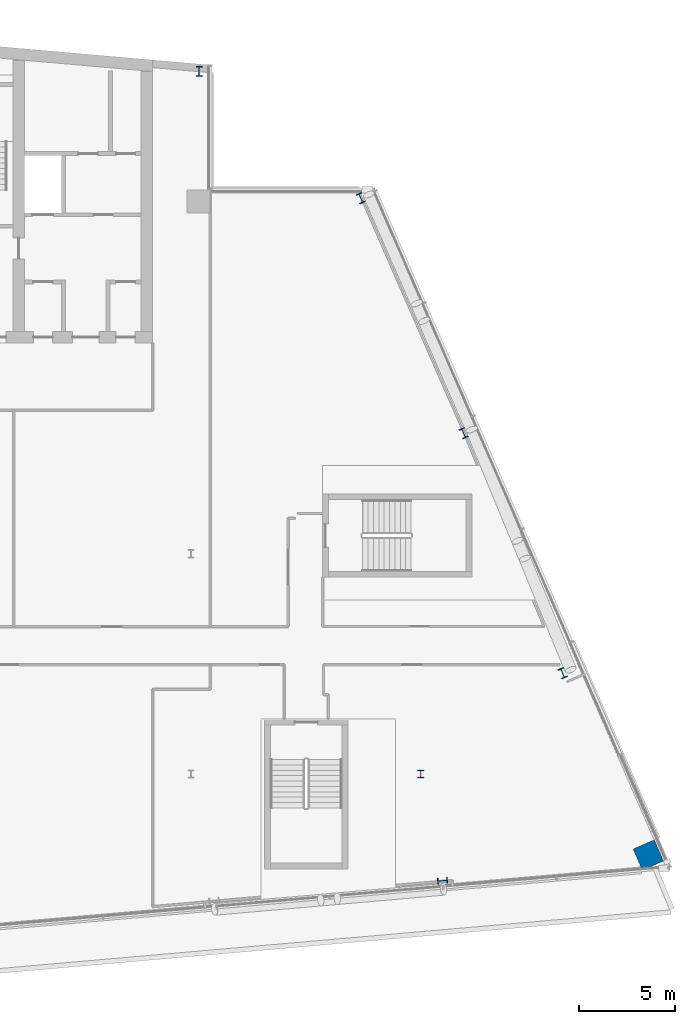
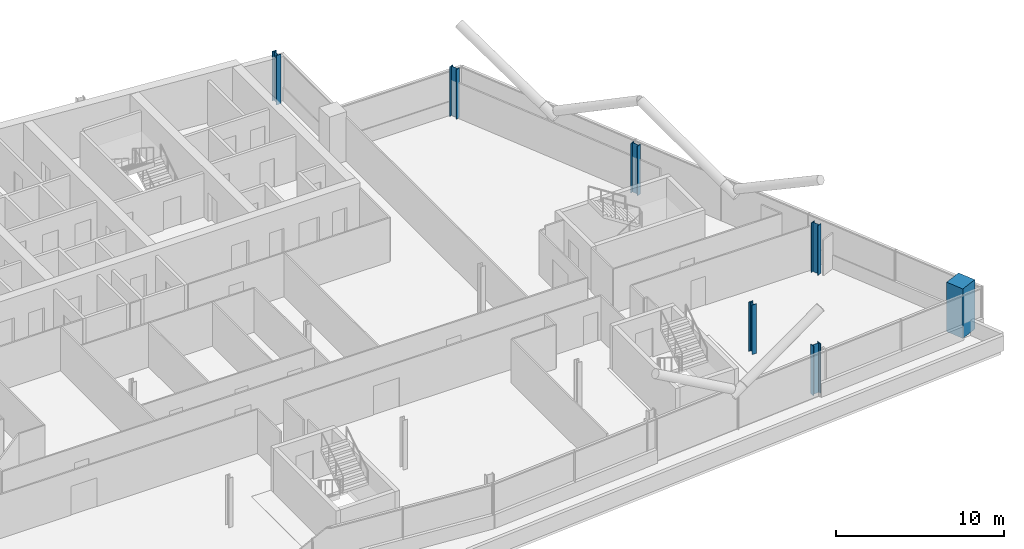
# One storey, part 4 of 27: 7 columns.
"""IFC4 building model written with IfcOpenShell, lengths in metres."""

from ifc_helpers import new_model, si_unit, direction, frame, origin, origin_2d, place, context, subcontext, project, spatial, rectangle, i_section, extrude, material, material_profile, profile_set, type_object, element, save


model = new_model("IFC4")

# Units and contexts
model_context = context("Model", 3, precision=1e-05, world=origin(), true_north=direction((0.0, 1.0)))
body_context = subcontext(model_context, "Body", "Model", "MODEL_VIEW")
ifc_project = project(units=[si_unit("LENGTHUNIT", "METRE"), si_unit("AREAUNIT", "SQUARE_METRE"), si_unit("VOLUMEUNIT", "CUBIC_METRE"), si_unit("PLANEANGLEUNIT", "RADIAN"), si_unit("MASSUNIT", "GRAM", prefix="KILO")], contexts=[model_context])

# Site, building, storey
site_placement = place(None, origin())
site = spatial("IfcSite", under=ifc_project, at=site_placement, CompositionType="ELEMENT")
building_placement = place(site_placement, origin())
building = spatial("IfcBuilding", under=site, at=building_placement, Name="Wharfspan Tower", CompositionType="ELEMENT")
storey_placement = place(building_placement, frame((0.0, 0.0, 207.100098)))
storey = spatial("IfcBuildingStorey", under=building, at=storey_placement, Name="L51", CompositionType="ELEMENT", Elevation=207.100098)

# Columns
ifc_material_1 = material(Name="Steel S355J2", Category="steel")
ifc_material_profile_1 = material_profile(ifc_material_1, i_section(OverallWidth=0.300049, OverallDepth=0.399902, WebThickness=0.013428, FlangeThickness=0.023926, FilletRadius=0.0271, at=origin_2d()))
ifc_profile_set_1 = profile_set([ifc_material_profile_1], Name="Steel S355J2")
column_type_1 = type_object("IfcColumnType", Name="Column HEB 400", PredefinedType="COLUMN", material=ifc_profile_set_1)
column_1_placement = place(storey_placement, frame((72.0, 11.5, 0.0), z_axis=(0.0, 0.0, 1.0), x_axis=(1.0, 0.0, 0.0)))
element("IfcColumn", 1, at=column_1_placement, inside=storey, type_object=column_type_1, Name="Interior column I.1.5 L51", PredefinedType="COLUMN", context=body_context, shape_type="SweptSolid", body=[
    extrude(i_section(OverallWidth=0.300049, OverallDepth=0.399902, WebThickness=0.013428, FlangeThickness=0.023926, FilletRadius=0.0271, at=origin_2d()), origin(), (0.0, 0.0, 1.0), 3.599854),
])
ifc_material_profile_2 = material_profile(ifc_material_1, i_section(OverallWidth=0.305908, OverallDepth=0.523926, WebThickness=0.020996, FlangeThickness=0.040039, FilletRadius=0.0271, at=origin_2d()))
ifc_profile_set_2 = profile_set([ifc_material_profile_2], Name="Steel S355J2")
column_type_2 = type_object("IfcColumnType", Name="Column HEM 500", PredefinedType="COLUMN", material=ifc_profile_set_2)
for number, where, z_axis, x_axis, name in (
    (2, (73.135254, 5.92334, 0.0), (0.0, 0.0, 1.0), (0.087156, -0.996197, 0.0), "Perimeter column PS2.2 L51"),
    (3, (79.409668, 16.761719, 0.0), (0.0, 0.0, 1.0), (0.917072, 0.398727, 0.0), "Perimeter column PE.1 L51"),
    (4, (74.235352, 29.294922, 0.0), (0.0, 0.0, 1.0), (0.917072, 0.398727, 0.0), "Perimeter column PE.2 L51"),
    (5, (68.867188, 41.572266, 0.0), (0.0, 0.0, 1.0), (0.917072, 0.398727, 0.0), "Perimeter column PE.3 L51"),
    (6, (60.422119, 48.189453, 0.0), (0.0, 0.0, 1.0), (1.0, 0.0, 0.0), "Perimeter column PNRE-V.1 L51"),
):
    element("IfcColumn", number, at=place(storey_placement, frame(where, z_axis=z_axis, x_axis=x_axis)), inside=storey, type_object=column_type_2, Name=name, PredefinedType="COLUMN", context=body_context, shape_type="SweptSolid", body=[
        extrude(i_section(OverallWidth=0.305908, OverallDepth=0.523926, WebThickness=0.020996, FlangeThickness=0.040039, FilletRadius=0.0271, at=origin_2d()), origin(), (0.0, 0.0, 1.0), 3.599854),
    ])
ifc_material_2 = material(Name="Concrete C50/60", Category="concrete")
ifc_material_profile_3 = material_profile(ifc_material_2, rectangle(XDim=1.199951, YDim=1.199951, at=origin_2d()))
ifc_profile_set_3 = profile_set([ifc_material_profile_3], Name="Concrete C50/60")
column_type_3 = type_object("IfcColumnType", Name="Mega column 1200 C50/60", PredefinedType="COLUMN", material=ifc_profile_set_3)
column_2_placement = place(storey_placement, frame((83.882812, 7.264648, 0.0), z_axis=(0.0, 0.0, 1.0), x_axis=(-0.398727, 0.917072, 0.0)))
element("IfcColumn", 7, at=column_2_placement, inside=storey, type_object=column_type_3, Name="Mega column MC4 L51", PredefinedType="COLUMN", context=body_context, shape_type="SweptSolid", body=[
    extrude(rectangle(XDim=1.199951, YDim=1.199951, at=origin_2d()), origin(), (0.0, 0.0, 1.0), 3.599854),
])

save(model, "model.ifc")
